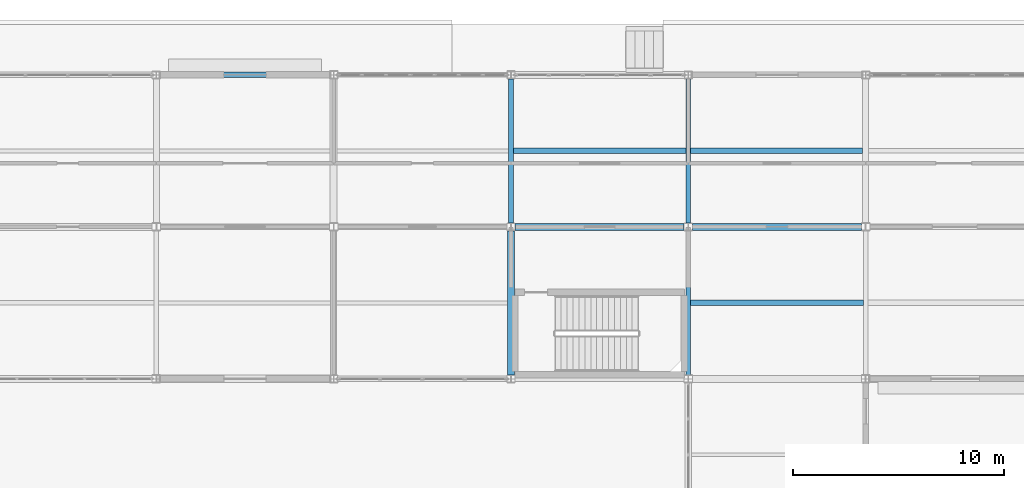
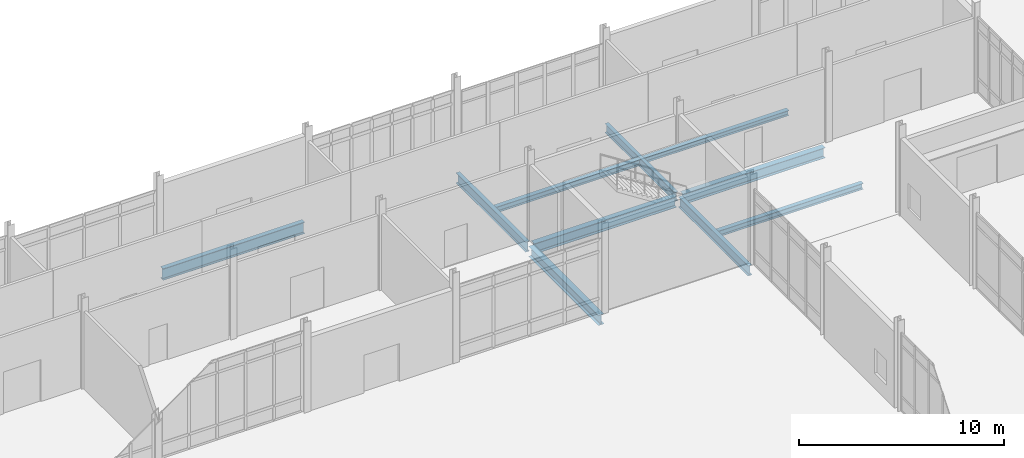
# One storey, part 95 of 229: 10 beams.
"""IFC4 building model written with IfcOpenShell, lengths in metres."""

from ifc_helpers import new_model, si_unit, direction, frame, origin, origin_2d, place, context, subcontext, project, spatial, i_section, extrude, material, material_profile, profile_set, type_object, element, save


model = new_model("IFC4")

# Units and contexts
model_context = context("Model", 3, precision=1e-05, world=origin(), true_north=direction((0.0, 1.0)))
body_context = subcontext(model_context, "Body", "Model", "MODEL_VIEW")
ifc_project = project(units=[si_unit("LENGTHUNIT", "METRE"), si_unit("AREAUNIT", "SQUARE_METRE"), si_unit("VOLUMEUNIT", "CUBIC_METRE"), si_unit("PLANEANGLEUNIT", "RADIAN"), si_unit("MASSUNIT", "GRAM", prefix="KILO")], contexts=[model_context])

# Site, building, storey
site_placement = place(None, origin())
site = spatial("IfcSite", under=ifc_project, at=site_placement, CompositionType="ELEMENT")
building_placement = place(site_placement, origin())
building = spatial("IfcBuilding", under=site, at=building_placement, Name="Calvrana Isthmian Art Gallery", CompositionType="ELEMENT")
storey_placement = place(building_placement, origin())
storey = spatial("IfcBuildingStorey", under=building, at=storey_placement, Name="L00", CompositionType="ELEMENT", Elevation=0.0)

# Beams
ifc_material = material(Name="Steel ASTM A992 Gr 50", Category="steel")
ifc_material_profile_1 = material_profile(ifc_material, i_section(OverallWidth=0.208984375, OverallDepth=0.532958984375, WebThickness=0.01025390625, FlangeThickness=0.015625, FilletRadius=0.02099609375, at=origin_2d()), Name="W21X62")
ifc_profile_set_1 = profile_set([ifc_material_profile_1], Name="Steel ASTM A992 Gr 50")
beam_type_1 = type_object("IfcBeamType", Name="BM-G-W21X62", PredefinedType="BEAM", material=ifc_profile_set_1)
beam_1_placement = place(storey_placement, frame((55.199951171875, 105.79296875, -0.551513671875), z_axis=(0.0, 1.0, 0.0), x_axis=(-1.0, 0.0, 0.0)))
element("IfcBeam", 1, at=beam_1_placement, inside=storey, type_object=beam_type_1, Name="Girder Y L00 08/O-P", PredefinedType="BEAM", context=body_context, shape_type="SweptSolid", body=[
    extrude(i_section(OverallWidth=0.208984375, OverallDepth=0.532958984375, WebThickness=0.01025390625, FlangeThickness=0.015625, FilletRadius=0.02099609375, at=origin_2d()), origin(), (0.0, 0.0, 1.0), 6.820556640625),
])
ifc_material_profile_2 = material_profile(ifc_material, i_section(OverallWidth=0.324951171875, OverallDepth=0.612060546875, WebThickness=0.0126953125, FlangeThickness=0.01904296875, FilletRadius=0.02197265625, at=origin_2d()), Name="W24X104")
ifc_profile_set_2 = profile_set([ifc_material_profile_2], Name="Steel ASTM A992 Gr 50")
beam_type_2 = type_object("IfcBeamType", Name="BM-G-W24X104", PredefinedType="BEAM", material=ifc_profile_set_2)
beam_2_placement = place(storey_placement, frame((55.3994140625, 105.60009765625, -0.591064453125), z_axis=(1.0, 0.0, 0.0), x_axis=(0.0, 1.0, 0.0)))
element("IfcBeam", 2, at=beam_2_placement, inside=storey, type_object=beam_type_2, Name="Girder X L00 08-09/O", PredefinedType="BEAM", context=body_context, shape_type="SweptSolid", body=[
    extrude(i_section(OverallWidth=0.324951171875, OverallDepth=0.612060546875, WebThickness=0.0126953125, FlangeThickness=0.01904296875, FilletRadius=0.02197265625, at=origin_2d()), origin(), (0.0, 0.0, 1.0), 8.002685546875),
])
beam_3_placement = place(storey_placement, frame((46.800048828125, 98.593017578125, -0.591064453125), z_axis=(0.0, 1.0, 0.0), x_axis=(-1.0, 0.0, 0.0)))
element("IfcBeam", 3, at=beam_3_placement, inside=storey, type_object=beam_type_2, Name="Girder Y L00 07/N-O", PredefinedType="BEAM", context=body_context, shape_type="SweptSolid", body=[
    extrude(i_section(OverallWidth=0.324951171875, OverallDepth=0.612060546875, WebThickness=0.0126953125, FlangeThickness=0.01904296875, FilletRadius=0.02197265625, at=origin_2d()), origin(), (0.0, 0.0, 1.0), 6.820556640625),
])
ifc_material_profile_3 = material_profile(ifc_material, i_section(OverallWidth=0.327880859375, OverallDepth=0.6220703125, WebThickness=0.015380859375, FlangeThickness=0.0244140625, FilletRadius=0.02197265625, at=origin_2d()), Name="W24X131")
ifc_profile_set_3 = profile_set([ifc_material_profile_3], Name="Steel ASTM A992 Gr 50")
beam_type_3 = type_object("IfcBeamType", Name="BM-G-W24X131", PredefinedType="BEAM", material=ifc_profile_set_3)
beam_4_placement = place(storey_placement, frame((46.986572265625, 105.60009765625, -0.595947265625), z_axis=(1.0, 0.0, 0.0), x_axis=(0.0, 1.0, 0.0)))
element("IfcBeam", 4, at=beam_4_placement, inside=storey, type_object=beam_type_3, Name="Girder X L00 07-08/O", PredefinedType="BEAM", context=body_context, shape_type="SweptSolid", body=[
    extrude(i_section(OverallWidth=0.327880859375, OverallDepth=0.6220703125, WebThickness=0.015380859375, FlangeThickness=0.0244140625, FilletRadius=0.02197265625, at=origin_2d()), origin(), (0.0, 0.0, 1.0), 8.013916015625),
])
ifc_material_profile_4 = material_profile(ifc_material, i_section(OverallWidth=0.22802734375, OverallDepth=0.60693359375, WebThickness=0.01123046875, FlangeThickness=0.017333984375, FilletRadius=0.02197265625, at=origin_2d()), Name="W24X76")
ifc_profile_set_4 = profile_set([ifc_material_profile_4], Name="Steel ASTM A992 Gr 50")
beam_type_4 = type_object("IfcBeamType", Name="BM-G-W24X76", PredefinedType="BEAM", material=ifc_profile_set_4)
beam_5_placement = place(storey_placement, frame((46.800048828125, 105.78662109375, -0.58837890625), z_axis=(0.0, 1.0, 0.0), x_axis=(-1.0, 0.0, 0.0)))
element("IfcBeam", 5, at=beam_5_placement, inside=storey, type_object=beam_type_4, Name="Girder Y L00 07/O-P", PredefinedType="BEAM", context=body_context, shape_type="SweptSolid", body=[
    extrude(i_section(OverallWidth=0.22802734375, OverallDepth=0.60693359375, WebThickness=0.01123046875, FlangeThickness=0.017333984375, FilletRadius=0.02197265625, at=origin_2d()), origin(), (0.0, 0.0, 1.0), 6.825439453125),
])
beam_6_placement = place(storey_placement, frame((55.199951171875, 98.590576171875, -0.58837890625), z_axis=(0.0, 1.0, 0.0), x_axis=(-1.0, 0.0, 0.0)))
element("IfcBeam", 6, at=beam_6_placement, inside=storey, type_object=beam_type_4, Name="Girder Y L00 08/N-O", PredefinedType="BEAM", context=body_context, shape_type="SweptSolid", body=[
    extrude(i_section(OverallWidth=0.22802734375, OverallDepth=0.60693359375, WebThickness=0.01123046875, FlangeThickness=0.017333984375, FilletRadius=0.02197265625, at=origin_2d()), origin(), (0.0, 0.0, 1.0), 6.81640625),
])
ifc_material_profile_5 = material_profile(ifc_material, i_section(OverallWidth=0.257080078125, OverallDepth=0.693115234375, WebThickness=0.014404296875, FlangeThickness=0.023681640625, FilletRadius=0.02392578125, at=origin_2d()), Name="W27X114")
ifc_profile_set_5 = profile_set([ifc_material_profile_5], Name="Steel ASTM A992 Gr 50")
beam_type_5 = type_object("IfcBeamType", Name="BM-G-W27X114", PredefinedType="BEAM", material=ifc_profile_set_5)
beam_7_placement = place(storey_placement, frame((30.199462890625, 112.800048828125, -0.631591796875), z_axis=(1.0, 0.0, 0.0), x_axis=(0.0, 1.0, 0.0)))
element("IfcBeam", 7, at=beam_7_placement, inside=storey, type_object=beam_type_5, Name="Girder X L00 05-06/P", PredefinedType="BEAM", context=body_context, shape_type="SweptSolid", body=[
    extrude(i_section(OverallWidth=0.257080078125, OverallDepth=0.693115234375, WebThickness=0.014404296875, FlangeThickness=0.023681640625, FilletRadius=0.02392578125, at=origin_2d()), origin(), (0.0, 0.0, 1.0), 8.00244140625),
])
ifc_material_profile_6 = material_profile(ifc_material, i_section(OverallWidth=0.25390625, OverallDepth=0.306884765625, WebThickness=0.0087890625, FlangeThickness=0.0146484375, FilletRadius=0.01611328125, at=origin_2d()), Name="W12X53")
ifc_profile_set_6 = profile_set([ifc_material_profile_6], Name="Steel ASTM A992 Gr 50")
beam_type_6 = type_object("IfcBeamType", Name="BM-J-W12X53", PredefinedType="JOIST", material=ifc_profile_set_6)
beam_8_placement = place(storey_placement, frame((55.304443359375, 109.199951171875, -0.4384765625), z_axis=(1.0, 0.0, 0.0), x_axis=(0.0, 1.0, 0.0)))
element("IfcBeam", 8, at=beam_8_placement, inside=storey, type_object=beam_type_6, Name="Composite joist L00 bay 07-14", PredefinedType="JOIST", context=body_context, shape_type="SweptSolid", body=[
    extrude(i_section(OverallWidth=0.25390625, OverallDepth=0.306884765625, WebThickness=0.0087890625, FlangeThickness=0.0146484375, FilletRadius=0.01611328125, at=origin_2d()), origin(), (0.0, 0.0, 1.0), 8.156005859375),
])
ifc_material_profile_7 = material_profile(ifc_material, i_section(OverallWidth=0.25390625, OverallDepth=0.35302734375, WebThickness=0.009521484375, FlangeThickness=0.016357421875, FilletRadius=0.01806640625, at=origin_2d()), Name="W14X61")
ifc_profile_set_7 = profile_set([ifc_material_profile_7], Name="Steel ASTM A992 Gr 50")
beam_type_7 = type_object("IfcBeamType", Name="BM-J-W14X61", PredefinedType="JOIST", material=ifc_profile_set_7)
beam_9_placement = place(storey_placement, frame((46.9140625, 109.199951171875, -0.46142578125), z_axis=(1.0, 0.0, 0.0), x_axis=(0.0, 1.0, 0.0)))
element("IfcBeam", 9, at=beam_9_placement, inside=storey, type_object=beam_type_7, Name="Composite joist L00 bay 06-14", PredefinedType="JOIST", context=body_context, shape_type="SweptSolid", body=[
    extrude(i_section(OverallWidth=0.25390625, OverallDepth=0.35302734375, WebThickness=0.009521484375, FlangeThickness=0.016357421875, FilletRadius=0.01806640625, at=origin_2d()), origin(), (0.0, 0.0, 1.0), 8.181396484375),
])
beam_10_placement = place(storey_placement, frame((55.31396484375, 102.0, -0.46142578125), z_axis=(1.0, 0.0, 0.0), x_axis=(0.0, 1.0, 0.0)))
element("IfcBeam", 10, at=beam_10_placement, inside=storey, type_object=beam_type_7, Name="Composite joist L00 bay 07-13", PredefinedType="JOIST", context=body_context, shape_type="SweptSolid", body=[
    extrude(i_section(OverallWidth=0.25390625, OverallDepth=0.35302734375, WebThickness=0.009521484375, FlangeThickness=0.016357421875, FilletRadius=0.01806640625, at=origin_2d()), origin(), (0.0, 0.0, 1.0), 8.181640625),
])

save(model, "model.ifc")
